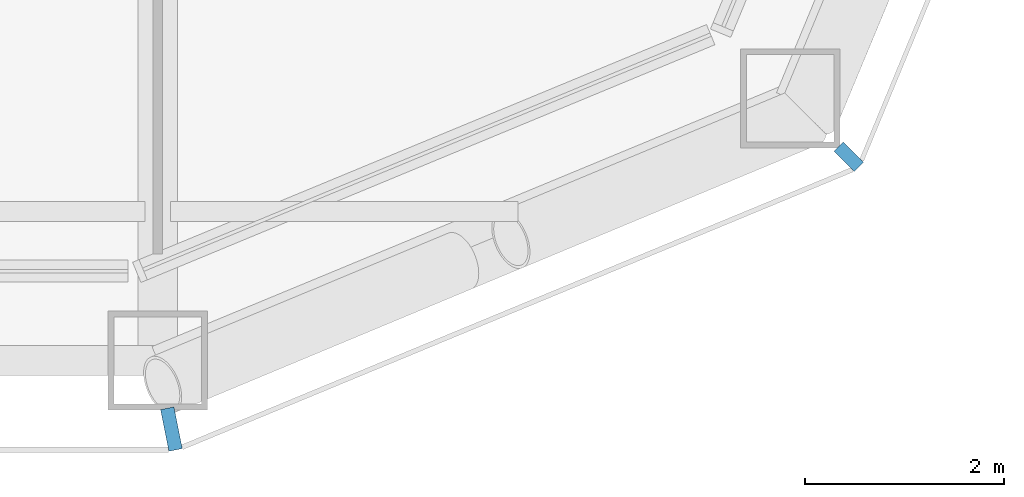
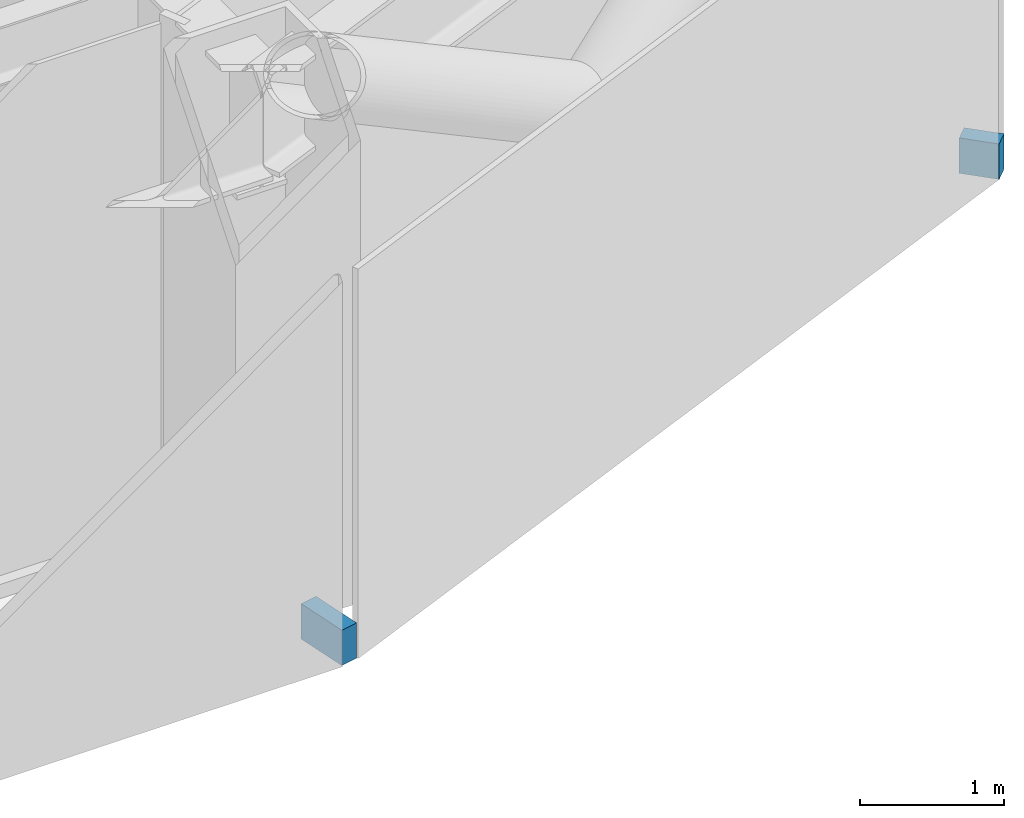
# One storey, part 18 of 30: 2 discrete accessories.
"""IFC4 building model written with IfcOpenShell, lengths in metres."""

from ifc_helpers import new_model, si_unit, direction, frame, origin, origin_2d, place, context, subcontext, project, spatial, rectangle, extrude, material, type_object, element, save


model = new_model("IFC4")

# Units and contexts
model_context = context("Model", 3, precision=1e-05, world=origin(), true_north=direction((0.0, 1.0)))
body_context = subcontext(model_context, "Body", "Model", "MODEL_VIEW")
ifc_project = project(units=[si_unit("LENGTHUNIT", "METRE"), si_unit("AREAUNIT", "SQUARE_METRE"), si_unit("VOLUMEUNIT", "CUBIC_METRE"), si_unit("PLANEANGLEUNIT", "RADIAN"), si_unit("MASSUNIT", "GRAM", prefix="KILO")], contexts=[model_context])

# Site, building, storey
site_placement = place(None, origin())
site = spatial("IfcSite", under=ifc_project, at=site_placement, CompositionType="ELEMENT")
building_placement = place(site_placement, origin())
building = spatial("IfcBuilding", under=site, at=building_placement, Name="Siwar Civic Tower", CompositionType="ELEMENT")
storey_placement = place(building_placement, frame((0.0, 0.0, 80.699951171875)))
storey = spatial("IfcBuildingStorey", under=building, at=storey_placement, Name="L17", CompositionType="ELEMENT", Elevation=80.699951171875)

# Discrete accessories
ifc_material = material(Name="Stainless steel 316", Category="steel")
discrete_accessory_type = type_object("IfcDiscreteAccessoryType", Name="ENV-BRACKET", PredefinedType="BRACKET", material=ifc_material)
discrete_accessory_1_placement = place(storey_placement, frame((22.63720703125, -32.190185546875, -0.14990234375), z_axis=(0.0, 0.0, 1.0), x_axis=(0.195090322016, -0.980785280403, 0.0)))
element("IfcDiscreteAccessory", 1, at=discrete_accessory_1_placement, inside=storey, type_object=discrete_accessory_type, Name="Bracket outer skin joint V01", PredefinedType="BRACKET", context=body_context, shape_type="SweptSolid", body=[
    extrude(rectangle(XDim=0.427734375, YDim=0.13720703125, at=origin_2d()), origin(), (0.0, 0.0, 1.0), 0.300048828125),
])
discrete_accessory_2_placement = place(storey_placement, frame((29.451416015625, -29.451416015625, -0.14990234375), z_axis=(0.0, 0.0, 1.0), x_axis=(0.707106781187, -0.707106781187, 0.0)))
element("IfcDiscreteAccessory", 2, at=discrete_accessory_2_placement, inside=storey, type_object=discrete_accessory_type, Name="Bracket outer skin joint V02", PredefinedType="BRACKET", context=body_context, shape_type="SweptSolid", body=[
    extrude(rectangle(XDim=0.287109375, YDim=0.12939453125, at=origin_2d()), origin(), (0.0, 0.0, 1.0), 0.300048828125),
])

save(model, "model.ifc")
